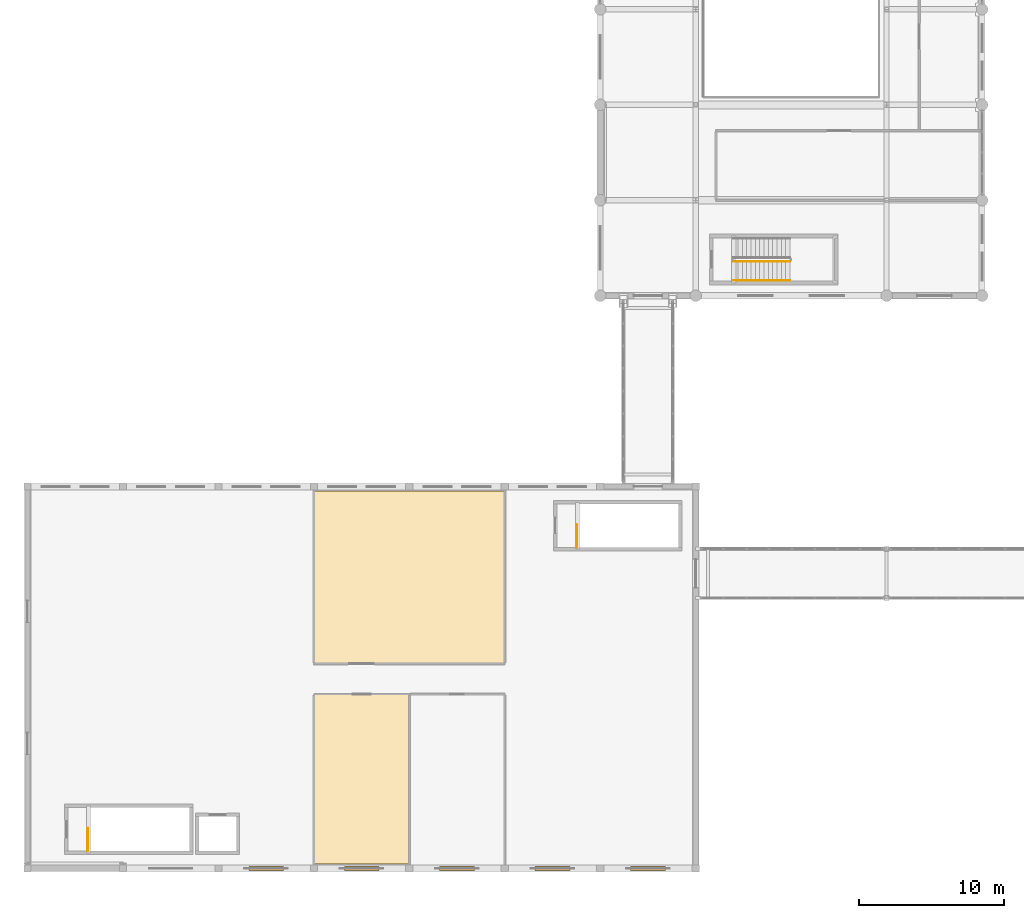
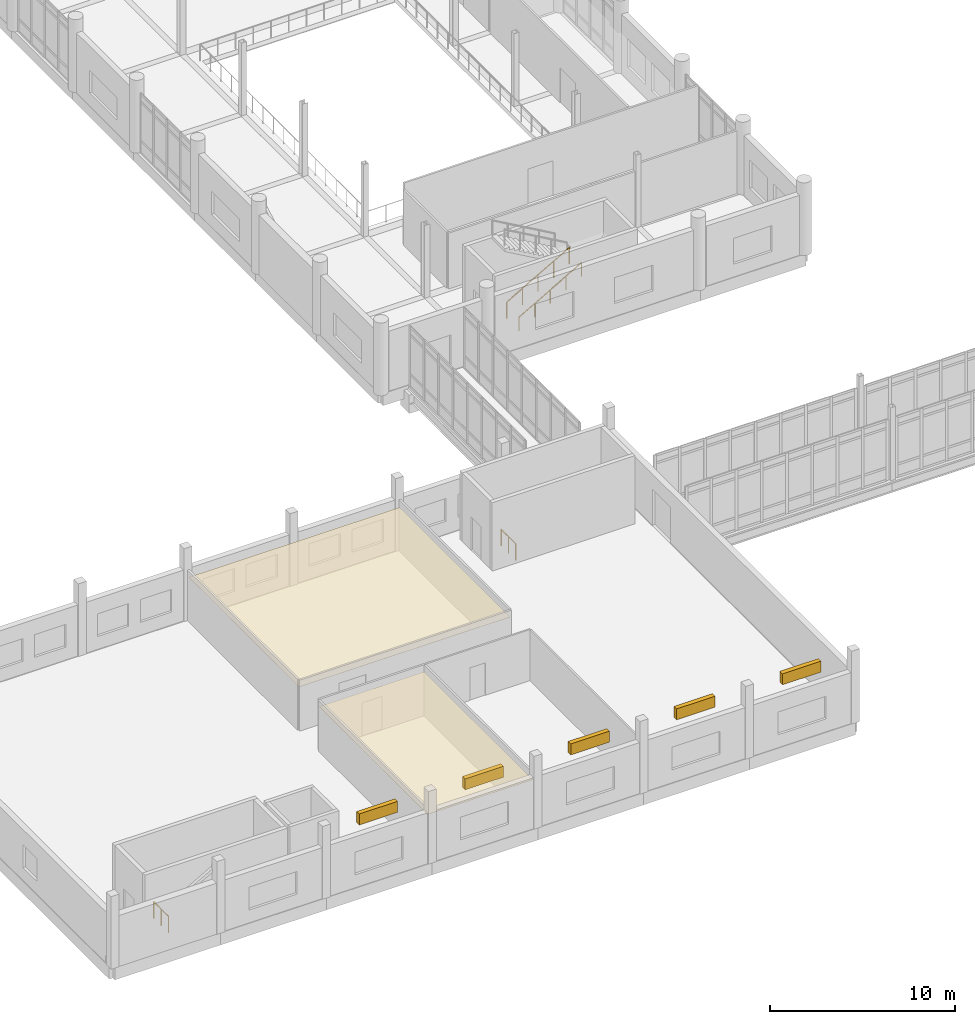
# One storey, part 81 of 101: 5 shading devices, 4 railings, 2 coverings.
"""IFC4 building model written with IfcOpenShell, lengths in metres."""

from ifc_helpers import new_model, si_unit, direction, frame, origin, origin_2d, place, context, subcontext, project, spatial, polyline, rectangle, circle, outline, extrude, material, layer, layer_set, type_object, element, save


model = new_model("IFC4")

# Units and contexts
model_context = context("Model", 3, precision=1e-05, world=origin(), true_north=direction((0.0, 1.0)))
body_context = subcontext(model_context, "Body", "Model", "MODEL_VIEW")
ifc_project = project(units=[si_unit("LENGTHUNIT", "METRE"), si_unit("AREAUNIT", "SQUARE_METRE"), si_unit("VOLUMEUNIT", "CUBIC_METRE"), si_unit("PLANEANGLEUNIT", "RADIAN"), si_unit("MASSUNIT", "GRAM", prefix="KILO")], contexts=[model_context])

# Site, building, storey
site_placement = place(None, origin())
site = spatial("IfcSite", under=ifc_project, at=site_placement, CompositionType="ELEMENT")
building_placement = place(site_placement, origin())
building = spatial("IfcBuilding", under=site, at=building_placement, Name="Dornvale Research Institute", CompositionType="ELEMENT")
storey_placement = place(building_placement, frame((0.0, 0.0, 10.199951171875)))
storey = spatial("IfcBuildingStorey", under=building, at=storey_placement, Name="L02", CompositionType="ELEMENT", Elevation=10.199951171875)

# Coverings
ifc_material_1 = material(Name="Mineral-Fibre Acoustic Lay-In Ceiling Tile System")
ifc_layer_1 = layer(ifc_material_1, 0.02001953125)
ifc_layer_set_1 = layer_set([ifc_layer_1], Name="Mineral-Fibre Acoustic Lay-In Ceiling Tile System")
covering_type = type_object("IfcCoveringType", Name="Covering_Acoustic_Ceiling", PredefinedType="CEILING", material=ifc_layer_set_1)
covering_1_placement = place(storey_placement, frame((0.0, 0.0, 2.85009765625)))
element("IfcCovering", 1, at=covering_1_placement, inside=storey, type_object=covering_type, Name="L02 Acoustical Symposium Hall suspended ceiling", PredefinedType="CEILING", context=body_context, shape_type="SweptSolid", body=[
    extrude(outline(polyline([(19.820068359375, 14.169921875), (19.820068359375, 26.10009765625), (20.10009765625, 26.10009765625), (20.10009765625, 26.10009765625), (26.10009765625, 26.10009765625), (26.10009765625, 26.10009765625), (26.699951171875, 26.10009765625), (26.699951171875, 26.10009765625), (32.699951171875, 26.10009765625), (32.699951171875, 26.10009765625), (32.97998046875, 26.10009765625), (32.97998046875, 14.169921875), (19.820068359375, 14.169921875)])), origin(), (0.0, 0.0, 1.0), 0.02001953125),
])
covering_2_placement = place(storey_placement, frame((0.0, 0.0, 2.85009765625)))
element("IfcCovering", 2, at=covering_2_placement, inside=storey, type_object=covering_type, Name="L02 Scientific Broadcast and Recording Laboratory suspended ceiling", PredefinedType="CEILING", context=body_context, shape_type="SweptSolid", body=[
    extrude(outline(polyline([(19.820068359375, 0.300048828125), (19.820068359375, 12.030029296875), (26.3798828125, 12.030029296875), (26.3798828125, 0.300048828125), (19.820068359375, 0.300048828125)])), origin(), (0.0, 0.0, 1.0), 0.02001953125),
])

# Railings
ifc_material_2 = material(Name="Galvanized Painted Tubular Steel Stair Rail", Category="steel")
ifc_layer_2 = layer(ifc_material_2, 0.050048828125)
ifc_layer_set_2 = layer_set([ifc_layer_2], Name="Galvanized Painted Tubular Steel Stair Rail")
railing_type_1 = type_object("IfcRailingType", Name="Railing_Stair_Guard_1100", PredefinedType="GUARDRAIL", material=ifc_layer_set_2)
railing_1_placement = place(storey_placement, frame((48.820068359375, 41.969970703125, 0.17138671875)))
element("IfcRailing", 3, at=railing_1_placement, inside=storey, type_object=railing_type_1, Name="L02 ST-7 stair guard 1", PredefinedType="GUARDRAIL", context=body_context, shape_type="SweptSolid", body=[
    extrude(circle(Radius=0.02392578125, at=origin_2d()), frame((0.0, 0.0, 1.076171875), z_axis=(0.868219727965, 0.0, 0.496179910892), x_axis=(0.0, 1.0, 0.0)), (0.0, 0.0, 1.0), 4.491943359375),
    extrude(circle(Radius=0.02099609375, at=origin_2d()), origin(), (0.0, 0.0, 1.0), 1.052001953125),
    extrude(circle(Radius=0.02099609375, at=origin_2d()), frame((0.97509765625, 0.0, 0.55712890625)), (0.0, 0.0, 1.0), 1.052001953125),
    extrude(circle(Radius=0.02099609375, at=origin_2d()), frame((1.949951171875, 0.0, 1.1142578125)), (0.0, 0.0, 1.0), 1.052001953125),
    extrude(circle(Radius=0.02099609375, at=origin_2d()), frame((2.9248046875, 0.0, 1.671630859375)), (0.0, 0.0, 1.0), 1.052001953125),
    extrude(circle(Radius=0.02099609375, at=origin_2d()), frame((3.89990234375, 0.0, 2.228759765625)), (0.0, 0.0, 1.0), 1.052001953125),
])
for number, where, name in (
    (4, (4.169921875, 1.199951171875, 0.0), "L02 ST-9 top well guard 1"),
    (5, (37.969970703125, 22.199951171875, 0.0), "L02 ST-10 top well guard 1"),
):
    element("IfcRailing", number, at=place(storey_placement, frame(where)), inside=storey, type_object=railing_type_1, Name=name, PredefinedType="GUARDRAIL", context=body_context, shape_type="SweptSolid", body=[
        extrude(circle(Radius=0.02392578125, at=origin_2d()), frame((0.0, 0.0, 1.076171875), z_axis=(0.0, 1.0, 0.0), x_axis=(-1.0, 0.0, 0.0)), (0.0, 0.0, 1.0), 1.580078125),
        extrude(circle(Radius=0.02099609375, at=origin_2d()), origin(), (0.0, 0.0, 1.0), 1.052001953125),
        extrude(circle(Radius=0.02099609375, at=origin_2d()), frame((0.0, 0.7900390625, 0.0)), (0.0, 0.0, 1.0), 1.052001953125),
        extrude(circle(Radius=0.02099609375, at=origin_2d()), frame((0.0, 1.580078125, 0.0)), (0.0, 0.0, 1.0), 1.052001953125),
    ])
ifc_material_3 = material(Name="Galvanized Painted Tubular Steel Stair Rail", Category="steel")
ifc_layer_3 = layer(ifc_material_3, 0.044921875)
ifc_layer_set_3 = layer_set([ifc_layer_3], Name="Galvanized Painted Tubular Steel Stair Rail")
railing_type_2 = type_object("IfcRailingType", Name="Railing_Stair_Handrail_900", PredefinedType="HANDRAIL", material=ifc_layer_set_3)
railing_2_placement = place(storey_placement, frame((48.820068359375, 40.64990234375, 0.17138671875)))
element("IfcRailing", 6, at=railing_2_placement, inside=storey, type_object=railing_type_2, Name="L02 ST-7 stair handrail 1", PredefinedType="HANDRAIL", context=body_context, shape_type="SweptSolid", body=[
    extrude(circle(Radius=0.02392578125, at=origin_2d()), frame((0.0, 0.0, 0.8759765625), z_axis=(0.868219727965, 0.0, 0.496179910892), x_axis=(0.0, 1.0, 0.0)), (0.0, 0.0, 1.0), 4.491943359375),
    extrude(circle(Radius=0.02099609375, at=origin_2d()), origin(), (0.0, 0.0, 1.0), 0.851806640625),
    extrude(circle(Radius=0.02099609375, at=origin_2d()), frame((0.97509765625, 0.0, 0.55712890625)), (0.0, 0.0, 1.0), 0.851806640625),
    extrude(circle(Radius=0.02099609375, at=origin_2d()), frame((1.949951171875, 0.0, 1.1142578125)), (0.0, 0.0, 1.0), 0.851806640625),
    extrude(circle(Radius=0.02099609375, at=origin_2d()), frame((2.9248046875, 0.0, 1.671630859375)), (0.0, 0.0, 1.0), 0.851806640625),
    extrude(circle(Radius=0.02099609375, at=origin_2d()), frame((3.89990234375, 0.0, 2.228759765625)), (0.0, 0.0, 1.0), 0.851806640625),
])

# Shading devices
ifc_material_4 = material(Name="Extruded Aluminum Acoustic Intake Louvre", Category="aluminium")
ifc_layer_4 = layer(ifc_material_4, 0.139892578125)
ifc_layer_set_4 = layer_set([ifc_layer_4], Name="Extruded Aluminum Acoustic Intake Louvre")
shading_device_type = type_object("IfcShadingDeviceType", Name="Shading_Acoustic_Louvre", PredefinedType="USERDEFINED", material=ifc_layer_set_4)
for number, where, z_axis, x_axis, name in (
    (7, (16.5, 0.0, 4.02001953125), (0.0, 0.0, 1.0), (1.0, 0.0, 0.0), "L02 V1 extruded aluminum acoustic louvre #46"),
    (8, (23.10009765625, 0.0, 4.02001953125), (0.0, 0.0, 1.0), (1.0, 0.0, 0.0), "L02 V1 extruded aluminum acoustic louvre #47"),
    (9, (29.699951171875, 0.0, 4.02001953125), (0.0, 0.0, 1.0), (1.0, 0.0, 0.0), "L02 V1 extruded aluminum acoustic louvre #48"),
    (10, (36.300048828125, 0.0, 4.02001953125), (0.0, 0.0, 1.0), (1.0, 0.0, 0.0), "L02 V1 extruded aluminum acoustic louvre #49"),
    (11, (42.89990234375, 0.0, 4.02001953125), (0.0, 0.0, 1.0), (1.0, 0.0, 0.0), "L02 V1 extruded aluminum acoustic louvre #50"),
):
    element("IfcShadingDevice", number, at=place(storey_placement, frame(where, z_axis=z_axis, x_axis=x_axis)), inside=storey, type_object=shading_device_type, Name=name, ObjectType="LOUVRE", PredefinedType="USERDEFINED", context=body_context, shape_type="SweptSolid", body=[
        extrude(rectangle(XDim=2.39990234375, YDim=0.280029296875, at=origin_2d()), origin(), (0.0, 0.0, 1.0), 0.719970703125),
    ])

save(model, "model.ifc")
